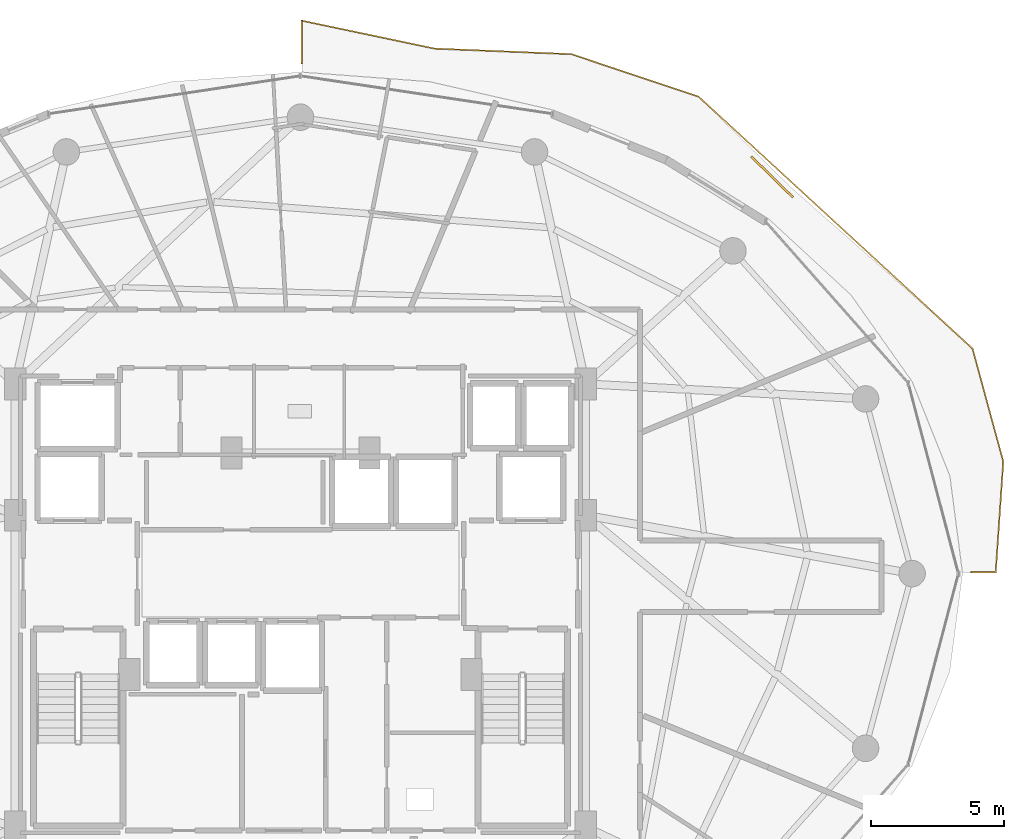
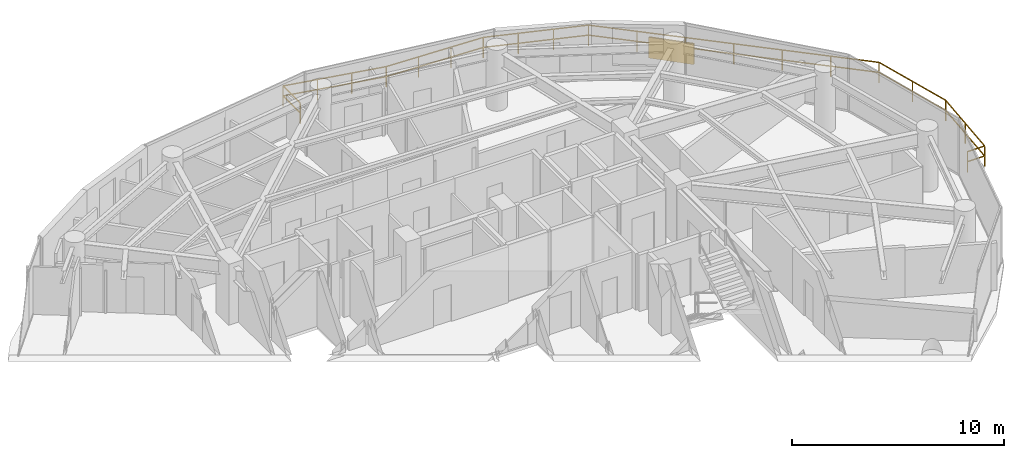
# One storey, part 27 of 28: 2 railings, 1 shading device.
"""IFC4 building model written with IfcOpenShell, lengths in metres."""

from ifc_helpers import new_model, si_unit, direction, frame, origin, origin_2d, place, context, subcontext, project, spatial, rectangle, extrude, material, type_object, element, save


model = new_model("IFC4")

# Units and contexts
model_context = context("Model", 3, precision=1e-05, world=origin(), true_north=direction((0.0, 1.0)))
body_context = subcontext(model_context, "Body", "Model", "MODEL_VIEW")
ifc_project = project(units=[si_unit("LENGTHUNIT", "METRE"), si_unit("AREAUNIT", "SQUARE_METRE"), si_unit("VOLUMEUNIT", "CUBIC_METRE"), si_unit("PLANEANGLEUNIT", "RADIAN"), si_unit("MASSUNIT", "GRAM", prefix="KILO")], contexts=[model_context])

# Site, building, storey
site_placement = place(None, origin())
site = spatial("IfcSite", under=ifc_project, at=site_placement, CompositionType="ELEMENT")
building_placement = place(site_placement, origin())
building = spatial("IfcBuilding", under=site, at=building_placement, Name="Vorneva Point Tower", CompositionType="ELEMENT")
storey_placement = place(building_placement, frame((0.0, 0.0, 164.10009765625)))
storey = spatial("IfcBuildingStorey", under=building, at=storey_placement, Name="L44", CompositionType="ELEMENT", Elevation=164.10009765625)

# Railings
ifc_material = material(Name="Pale anodised aluminium", Category="aluminium")
railing_type = type_object("IfcRailingType", Name="RL-BAL-1200", PredefinedType="BALUSTRADE", material=ifc_material)
railing_1_placement = place(storey_placement, frame((38.050048828125, 46.839599609375, 0.0)))
element("IfcRailing", 1, at=railing_1_placement, inside=storey, type_object=railing_type, Name="L44 Wave Balcony Balustrade NE.1", PredefinedType="BALUSTRADE", context=body_context, shape_type="SweptSolid", body=[
    extrude(rectangle(XDim=0.048095703125, YDim=0.048095703125, at=origin_2d()), frame((0.0, 0.0, 1.17578125), z_axis=(0.0, -1.0, 0.0), x_axis=(1.0, 0.0, 0.0)), (0.0, 0.0, 1.0), 1.622314453125),
    extrude(rectangle(XDim=0.048095703125, YDim=0.048095703125, at=origin_2d()), frame((0.0, 0.0, 0.60009765625), z_axis=(0.0, -1.0, 0.0), x_axis=(1.0, 0.0, 0.0)), (0.0, 0.0, 1.0), 1.622314453125),
    extrude(rectangle(XDim=0.0419921875, YDim=0.0419921875, at=origin_2d()), origin(), (0.0, 0.0, 1.0), 1.15185546875),
    extrude(rectangle(XDim=0.0419921875, YDim=0.0419921875, at=origin_2d()), frame((0.0, -1.622314453125, 0.0)), (0.0, 0.0, 1.0), 1.15185546875),
])
railing_2_placement = place(storey_placement, frame((63.26611328125, 26.050048828125, 0.0)))
element("IfcRailing", 2, at=railing_2_placement, inside=storey, type_object=railing_type, Name="L44 Wave Balcony Balustrade NE.2", PredefinedType="BALUSTRADE", context=body_context, shape_type="SweptSolid", body=[
    extrude(rectangle(XDim=0.048095703125, YDim=0.048095703125, at=origin_2d()), frame((0.0, 0.0, 1.17578125), z_axis=(1.0, 0.0, 0.0), x_axis=(0.0, 1.0, 0.0)), (0.0, 0.0, 1.0), 0.937255859375),
    extrude(rectangle(XDim=0.048095703125, YDim=0.048095703125, at=origin_2d()), frame((0.0, 0.0, 0.60009765625), z_axis=(1.0, 0.0, 0.0), x_axis=(0.0, 1.0, 0.0)), (0.0, 0.0, 1.0), 0.937255859375),
    extrude(rectangle(XDim=0.048095703125, YDim=0.048095703125, at=origin_2d()), frame((0.937255859375, 0.0, 1.17578125), z_axis=(0.068330661479, 0.997662728933, 0.0), x_axis=(-0.997662728933, 0.068330661479, 0.0)), (0.0, 0.0, 1.0), 4.1767578125),
    extrude(rectangle(XDim=0.048095703125, YDim=0.048095703125, at=origin_2d()), frame((0.937255859375, 0.0, 0.60009765625), z_axis=(0.068330661479, 0.997662728933, 0.0), x_axis=(-0.997662728933, 0.068330661479, 0.0)), (0.0, 0.0, 1.0), 4.1767578125),
    extrude(rectangle(XDim=0.048095703125, YDim=0.048095703125, at=origin_2d()), frame((1.22265625, 4.1669921875, 1.17578125), z_axis=(-0.262579449099, 0.964910375585, 0.0), x_axis=(-0.964910375585, -0.262579449099, 0.0)), (0.0, 0.0, 1.0), 4.41650390625),
    extrude(rectangle(XDim=0.048095703125, YDim=0.048095703125, at=origin_2d()), frame((1.22265625, 4.1669921875, 0.60009765625), z_axis=(-0.262579449099, 0.964910375585, 0.0), x_axis=(-0.964910375585, -0.262579449099, 0.0)), (0.0, 0.0, 1.0), 4.41650390625),
    extrude(rectangle(XDim=0.048095703125, YDim=0.048095703125, at=origin_2d()), frame((0.06298828125, 8.428466796875, 1.17578125), z_axis=(-0.73603472596, 0.676943780665, 0.0), x_axis=(-0.676943780665, -0.73603472596, 0.0)), (0.0, 0.0, 1.0), 14.02685546875),
    extrude(rectangle(XDim=0.048095703125, YDim=0.048095703125, at=origin_2d()), frame((0.06298828125, 8.428466796875, 0.60009765625), z_axis=(-0.73603472596, 0.676943780665, 0.0), x_axis=(-0.676943780665, -0.73603472596, 0.0)), (0.0, 0.0, 1.0), 14.02685546875),
    extrude(rectangle(XDim=0.048095703125, YDim=0.048095703125, at=origin_2d()), frame((-10.26123046875, 17.923828125, 1.17578125), z_axis=(-0.948334924169, 0.317270975038, 0.0), x_axis=(-0.317270975038, -0.948334924169, 0.0)), (0.0, 0.0, 1.0), 5.05419921875),
    extrude(rectangle(XDim=0.048095703125, YDim=0.048095703125, at=origin_2d()), frame((-10.26123046875, 17.923828125, 0.60009765625), z_axis=(-0.948334924169, 0.317270975038, 0.0), x_axis=(-0.317270975038, -0.948334924169, 0.0)), (0.0, 0.0, 1.0), 5.05419921875),
    extrude(rectangle(XDim=0.048095703125, YDim=0.048095703125, at=origin_2d()), frame((-15.05419921875, 19.52734375, 1.17578125), z_axis=(-0.999181493619, 0.040451734317, 0.0), x_axis=(-0.040451734317, -0.999181493619, 0.0)), (0.0, 0.0, 1.0), 5.16015625),
    extrude(rectangle(XDim=0.048095703125, YDim=0.048095703125, at=origin_2d()), frame((-15.05419921875, 19.52734375, 0.60009765625), z_axis=(-0.999181493619, 0.040451734317, 0.0), x_axis=(-0.040451734317, -0.999181493619, 0.0)), (0.0, 0.0, 1.0), 5.16015625),
    extrude(rectangle(XDim=0.048095703125, YDim=0.048095703125, at=origin_2d()), frame((-20.210205078125, 19.736083984375, 1.17578125), z_axis=(-0.978565479687, 0.205935917131, 0.0), x_axis=(-0.205935917131, -0.978565479687, 0.0)), (0.0, 0.0, 1.0), 5.115478515625),
    extrude(rectangle(XDim=0.048095703125, YDim=0.048095703125, at=origin_2d()), frame((-20.210205078125, 19.736083984375, 0.60009765625), z_axis=(-0.978565479687, 0.205935917131, 0.0), x_axis=(-0.205935917131, -0.978565479687, 0.0)), (0.0, 0.0, 1.0), 5.115478515625),
    extrude(rectangle(XDim=0.0419921875, YDim=0.0419921875, at=origin_2d()), origin(), (0.0, 0.0, 1.0), 1.15185546875),
    extrude(rectangle(XDim=0.0419921875, YDim=0.0419921875, at=origin_2d()), frame((0.937255859375, 0.0, 0.0)), (0.0, 0.0, 1.0), 1.15185546875),
    extrude(rectangle(XDim=0.0419921875, YDim=0.0419921875, at=origin_2d()), frame((1.080078125, 2.08349609375, 0.0)), (0.0, 0.0, 1.0), 1.15185546875),
    extrude(rectangle(XDim=0.0419921875, YDim=0.0419921875, at=origin_2d()), frame((1.22265625, 4.1669921875, 0.0)), (0.0, 0.0, 1.0), 1.15185546875),
    extrude(rectangle(XDim=0.0419921875, YDim=0.0419921875, at=origin_2d()), frame((0.642822265625, 6.2978515625, 0.0)), (0.0, 0.0, 1.0), 1.15185546875),
    extrude(rectangle(XDim=0.0419921875, YDim=0.0419921875, at=origin_2d()), frame((0.06298828125, 8.428466796875, 0.0)), (0.0, 0.0, 1.0), 1.15185546875),
    extrude(rectangle(XDim=0.0419921875, YDim=0.0419921875, at=origin_2d()), frame((-1.65771484375, 10.010986328125, 0.0)), (0.0, 0.0, 1.0), 1.15185546875),
    extrude(rectangle(XDim=0.0419921875, YDim=0.0419921875, at=origin_2d()), frame((-3.37841796875, 11.593505859375, 0.0)), (0.0, 0.0, 1.0), 1.15185546875),
    extrude(rectangle(XDim=0.0419921875, YDim=0.0419921875, at=origin_2d()), frame((-5.09912109375, 13.17626953125, 0.0)), (0.0, 0.0, 1.0), 1.15185546875),
    extrude(rectangle(XDim=0.0419921875, YDim=0.0419921875, at=origin_2d()), frame((-6.81982421875, 14.7587890625, 0.0)), (0.0, 0.0, 1.0), 1.15185546875),
    extrude(rectangle(XDim=0.0419921875, YDim=0.0419921875, at=origin_2d()), frame((-8.54052734375, 16.34130859375, 0.0)), (0.0, 0.0, 1.0), 1.15185546875),
    extrude(rectangle(XDim=0.0419921875, YDim=0.0419921875, at=origin_2d()), frame((-10.26123046875, 17.923828125, 0.0)), (0.0, 0.0, 1.0), 1.15185546875),
    extrude(rectangle(XDim=0.0419921875, YDim=0.0419921875, at=origin_2d()), frame((-11.85888671875, 18.458251953125, 0.0)), (0.0, 0.0, 1.0), 1.15185546875),
    extrude(rectangle(XDim=0.0419921875, YDim=0.0419921875, at=origin_2d()), frame((-13.45654296875, 18.992919921875, 0.0)), (0.0, 0.0, 1.0), 1.15185546875),
    extrude(rectangle(XDim=0.0419921875, YDim=0.0419921875, at=origin_2d()), frame((-15.05419921875, 19.52734375, 0.0)), (0.0, 0.0, 1.0), 1.15185546875),
    extrude(rectangle(XDim=0.0419921875, YDim=0.0419921875, at=origin_2d()), frame((-16.77294921875, 19.596923828125, 0.0)), (0.0, 0.0, 1.0), 1.15185546875),
    extrude(rectangle(XDim=0.0419921875, YDim=0.0419921875, at=origin_2d()), frame((-18.491455078125, 19.66650390625, 0.0)), (0.0, 0.0, 1.0), 1.15185546875),
    extrude(rectangle(XDim=0.0419921875, YDim=0.0419921875, at=origin_2d()), frame((-20.210205078125, 19.736083984375, 0.0)), (0.0, 0.0, 1.0), 1.15185546875),
    extrude(rectangle(XDim=0.0419921875, YDim=0.0419921875, at=origin_2d()), frame((-21.87890625, 20.087158203125, 0.0)), (0.0, 0.0, 1.0), 1.15185546875),
    extrude(rectangle(XDim=0.0419921875, YDim=0.0419921875, at=origin_2d()), frame((-23.54736328125, 20.4384765625, 0.0)), (0.0, 0.0, 1.0), 1.15185546875),
    extrude(rectangle(XDim=0.0419921875, YDim=0.0419921875, at=origin_2d()), frame((-25.216064453125, 20.78955078125, 0.0)), (0.0, 0.0, 1.0), 1.15185546875),
])

# Shading device
shading_device_type = type_object("IfcShadingDeviceType", Name="SHD-JAL-1200", PredefinedType="JALOUSIE", material=ifc_material)
shading_device_placement = place(storey_placement, frame((55.7744140625, 40.94970703125, -0.02001953125), z_axis=(0.0, 0.0, 1.0), x_axis=(-0.71378849846, 0.700361320653, 0.0)))
element("IfcShadingDevice", 3, at=shading_device_placement, inside=storey, type_object=shading_device_type, Name="L44 Balcony Vertical-Greenery Planter Screen NE.2", PredefinedType="JALOUSIE", context=body_context, shape_type="SweptSolid", body=[
    extrude(rectangle(XDim=2.199951171875, YDim=0.080078125, at=origin_2d()), origin(), (0.0, 0.0, 1.0), 1.199951171875),
])

save(model, "model.ifc")
